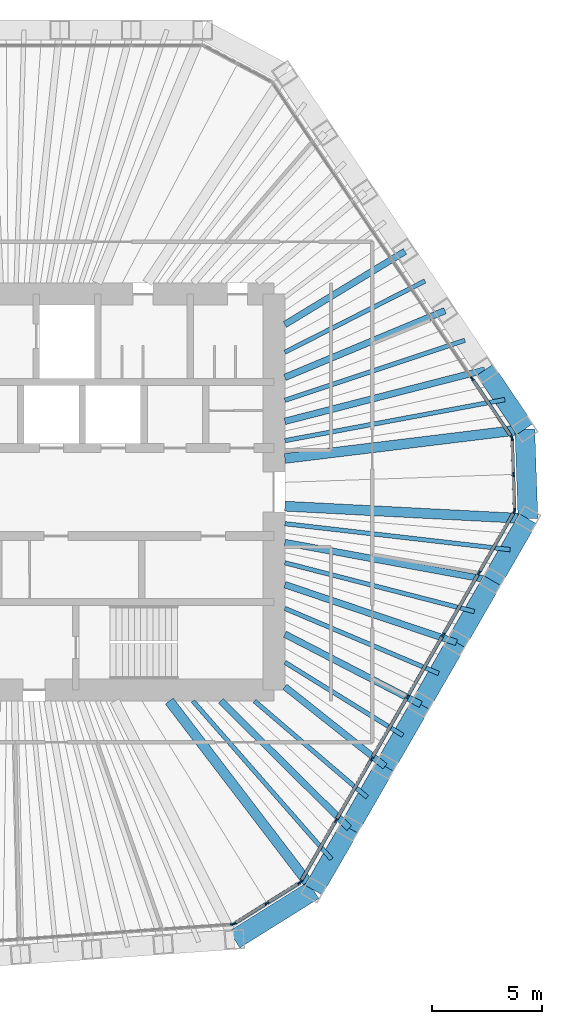
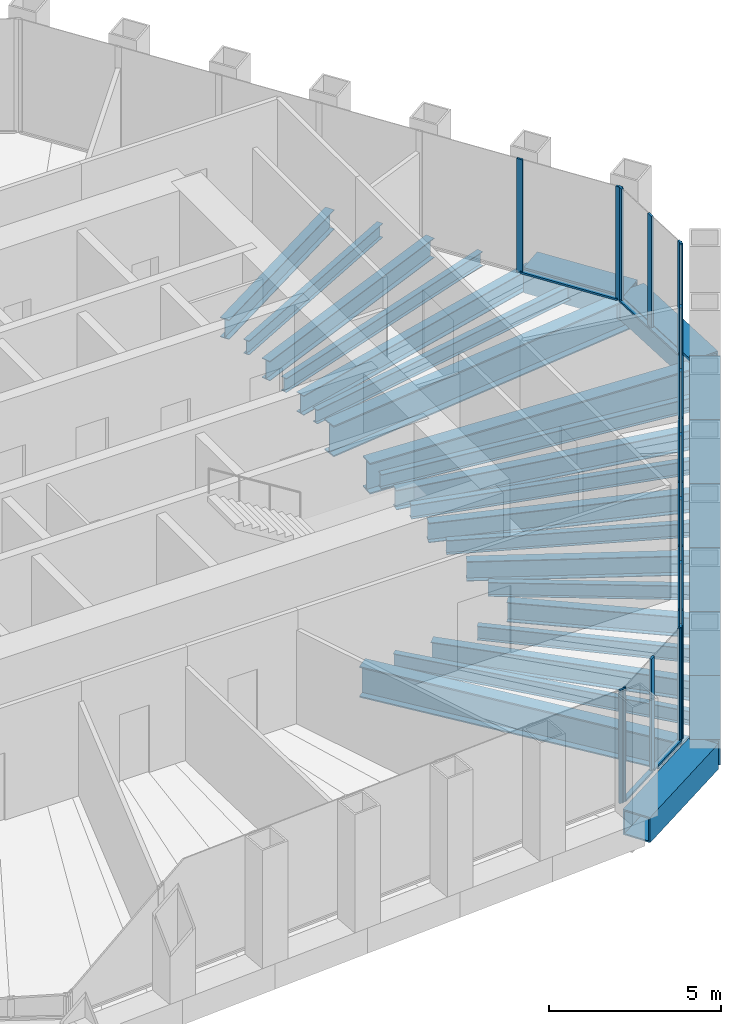
# One storey, part 5 of 14: 29 beams, 27 members, 5 elements without a shape of their own.
"""IFC4 building model written with IfcOpenShell, lengths in metres."""

import ifcopenshell
import ifcopenshell.guid

model = None  # the IFC model being written
_history = None  # IfcOwnerHistory: only IFC2X3 demands one
_inside = {}  # id of a spatial element -> (the spatial element, [elements in it])
_under = {}  # id of a project, library or spatial element -> (it, [spatial elements below it])
_declared = {}  # id of a project -> (the project, [libraries it declares])
_typed = {}  # id of a type object -> (the type object, [elements of that type])
_made_of = {}  # id of a material, layer set ... -> (it, [elements and type objects made of it])


def new_model(schema):
    """Start an empty IFC model of exactly this schema.

    Asked for "IFC4X3", IfcOpenShell would pick the latest addendum, in which some entities
    have other attributes; the version numbers below select the first issue.
    IFC2X3 requires an IfcOwnerHistory on every rooted entity: one is made here for all.
    """
    global model, _history
    if schema == "IFC4X3":
        model = ifcopenshell.file(schema_version=(4, 3, 0, 0))
    else:
        model = ifcopenshell.file(schema=schema)
    _inside.clear()
    _under.clear()
    _declared.clear()
    _typed.clear()
    _made_of.clear()
    _history = None
    if model.schema == "IFC2X3":
        org = make("IfcOrganization", Name="unknown")
        user = make(
            "IfcPersonAndOrganization",
            ThePerson=make("IfcPerson", FamilyName="unknown"),
            TheOrganization=org,
        )
        app = make(
            "IfcApplication",
            ApplicationDeveloper=org,
            Version="unknown",
            ApplicationFullName="unknown",
            ApplicationIdentifier="unknown",
        )
        _history = make(
            "IfcOwnerHistory",
            OwningUser=user,
            OwningApplication=app,
            ChangeAction="ADDED",
            CreationDate=0,
        )
    return model


def make(cls, **values):
    """One entity of the class cls with the attributes given. An attribute that is None is left unset."""
    return model.create_entity(
        cls, **{name: value for name, value in values.items() if value is not None}
    )


def rooted(cls, **values):
    """An entity with a GlobalId (a new one), such as an element, a storey or a relation."""
    return make(cls, GlobalId=ifcopenshell.guid.new(), OwnerHistory=_history, **values)


def si_unit(unit_type, name, prefix=None):
    """IfcSIUnit, for example si_unit("LENGTHUNIT", "METRE", prefix="MILLI")."""
    return make("IfcSIUnit", UnitType=unit_type, Prefix=prefix, Name=name)


def assignment(units):
    """IfcUnitAssignment: the units of a project."""
    return None if units is None else make("IfcUnitAssignment", Units=units)


def point(xyz):
    """IfcCartesianPoint."""
    return None if xyz is None else make("IfcCartesianPoint", Coordinates=xyz)


def direction(xyz):
    """IfcDirection."""
    return None if xyz is None else make("IfcDirection", DirectionRatios=xyz)


def frame(location, z_axis=None, x_axis=None):
    """IfcAxis2Placement3D, a coordinate frame: its origin and axes. An axis left out is left unset."""
    return make(
        "IfcAxis2Placement3D",
        Location=point(location),
        Axis=direction(z_axis),
        RefDirection=direction(x_axis),
    )


def frame_2d(location, x_axis=None):
    """IfcAxis2Placement2D, a coordinate frame in the plane: its origin and x axis."""
    return make(
        "IfcAxis2Placement2D", Location=point(location), RefDirection=direction(x_axis)
    )


def origin():
    """The frame at (0, 0, 0) with its axes left unset."""
    return frame((0.0, 0.0, 0.0))


def origin_2d():
    """The frame at (0, 0) in the plane with its x axis left unset."""
    return frame_2d((0.0, 0.0))


def place(relative_to, where):
    """IfcLocalPlacement: puts the frame where relative to a parent placement (None: the world)."""
    return make(
        "IfcLocalPlacement", PlacementRelTo=relative_to, RelativePlacement=where
    )


def context(
    kind, dimensions, precision=None, world=None, true_north=None, identifier=None
):
    """IfcGeometricRepresentationContext, for example the 3D "Model" context."""
    return make(
        "IfcGeometricRepresentationContext",
        ContextIdentifier=identifier,
        ContextType=kind,
        CoordinateSpaceDimension=dimensions,
        Precision=precision,
        WorldCoordinateSystem=world,
        TrueNorth=true_north,
    )


def subcontext(parent, identifier, kind, view, scale=None):
    """IfcGeometricRepresentationSubContext, for example "Body" below "Model"."""
    return make(
        "IfcGeometricRepresentationSubContext",
        ContextIdentifier=identifier,
        ContextType=kind,
        ParentContext=parent,
        TargetScale=scale,
        TargetView=view,
    )


def project(units=None, contexts=None):
    """IfcProject with its units and contexts."""
    return rooted(
        "IfcProject",
        Name="project",
        RepresentationContexts=contexts,
        UnitsInContext=assignment(units),
    )


def spatial(cls, under=None, at=None, **own):
    """A site, building, storey or space (cls), placed at a placement, below another one or the project."""
    s = rooted(cls, ObjectPlacement=at, **own)
    if under is not None:
        _under.setdefault(under.id(), (under, []))[1].append(s)
    return s


def profile(cls, at=None, kind="AREA", **sizes):
    """A parametric profile (cls). Its sizes go by their IFC names, for example OverallWidth=200.0."""
    return make(cls, ProfileType=kind, Position=at, **sizes)


def rectangle(**sizes):
    """IfcRectangleProfileDef."""
    return profile("IfcRectangleProfileDef", **sizes)


def hollow_rectangle(**sizes):
    """IfcRectangleHollowProfileDef."""
    return profile("IfcRectangleHollowProfileDef", **sizes)


def i_section(**sizes):
    """IfcIShapeProfileDef."""
    return profile("IfcIShapeProfileDef", **sizes)


def extrude(swept, where, along, depth):
    """IfcExtrudedAreaSolid: the profile swept, set in the frame where, extruded along a direction by depth."""
    return make(
        "IfcExtrudedAreaSolid",
        SweptArea=swept,
        Position=where,
        ExtrudedDirection=direction(along),
        Depth=depth,
    )


def shape(context_of_items, identifier, shape_type, items):
    """IfcShapeRepresentation: the items that make up one representation, for example the "Body"."""
    return make(
        "IfcShapeRepresentation",
        ContextOfItems=context_of_items,
        RepresentationIdentifier=identifier,
        RepresentationType=shape_type,
        Items=items,
    )


def material(Name=None, Category=None):
    """IfcMaterial."""
    return make("IfcMaterial", Name=Name, Category=Category)


def material_profile(
    of_material, cross_section, Name=None, Category=None, Priority=None
):
    """IfcMaterialProfile: a cross section and its material."""
    return make(
        "IfcMaterialProfile",
        Name=Name,
        Material=of_material,
        Profile=cross_section,
        Priority=Priority,
        Category=Category,
    )


def profile_set(profiles, Name=None, composite=None):
    """IfcMaterialProfileSet."""
    return make(
        "IfcMaterialProfileSet",
        Name=Name,
        MaterialProfiles=profiles,
        CompositeProfile=composite,
    )


def made_of(thing, what):
    """Note that an element or type object is made of a material, layer set ...; save() writes the relation."""
    if what is not None:
        _made_of.setdefault(what.id(), (what, []))[1].append(thing)
    return thing


def type_object(cls, material=None, **own):
    """A type object (cls), such as IfcWallType, which elements share."""
    return made_of(rooted(cls, **own), material)


def element(
    cls,
    number,
    at=None,
    inside=None,
    cuts=None,
    type_object=None,
    material=None,
    context=None,
    identifier="Body",
    shape_type=None,
    held_by="IfcProductDefinitionShape",
    body=None,
    shapes=None,
    **own,
):
    """One element of the class cls, such as IfcWall. Its Tag is "e" and its number.

    at: its placement. inside: the storey or other place that contains it. cuts: it is an
    opening in that element (IfcRelVoidsElement). A single representation is given by context,
    identifier, shape_type and body (its items); several are given by shapes. held_by: the class
    of the entity that holds the representations. save() writes the other relations.
    """
    e = rooted(cls, Tag="e%d" % number, ObjectPlacement=at, **own)
    if body is not None:
        shapes = [shape(context, identifier, shape_type, body)]
    if shapes is not None:
        e.Representation = make(held_by, Representations=shapes)
    if inside is not None:
        _inside.setdefault(inside.id(), (inside, []))[1].append(e)
    if cuts is not None:
        rooted(
            "IfcRelVoidsElement", RelatingBuildingElement=cuts, RelatedOpeningElement=e
        )
    if type_object is not None:
        _typed.setdefault(type_object.id(), (type_object, []))[1].append(e)
    return made_of(e, material)


def aggregate(whole, parts):
    """IfcRelAggregates: a whole, such as a stair, and the parts it consists of."""
    return rooted("IfcRelAggregates", RelatingObject=whole, RelatedObjects=parts)


def save(model, path):
    """Write the relations noted so far, then the file.

    IfcRelAggregates (storeys below a building ...), IfcRelContainedInSpatialStructure (elements
    in a storey), IfcRelDefinesByType, IfcRelAssociatesMaterial and IfcRelDeclares: one each for
    every whole, place, type object, material and project.
    """
    for whole, parts in _under.values():
        aggregate(whole, parts)
    for where, things in _inside.values():
        rooted(
            "IfcRelContainedInSpatialStructure",
            RelatedElements=things,
            RelatingStructure=where,
        )
    for kind, things in _typed.values():
        rooted("IfcRelDefinesByType", RelatedObjects=things, RelatingType=kind)
    for what, things in _made_of.values():
        rooted("IfcRelAssociatesMaterial", RelatedObjects=things, RelatingMaterial=what)
    for by, libraries in _declared.values():
        rooted("IfcRelDeclares", RelatingContext=by, RelatedDefinitions=libraries)
    model.write(path)


model = new_model("IFC4")

# Units and contexts
model_context = context("Model", 3, precision=1e-05, world=origin(), true_north=direction((0.0, 1.0)))
body_context = subcontext(model_context, "Body", "Model", "MODEL_VIEW")
ifc_project = project(units=[si_unit("LENGTHUNIT", "METRE"), si_unit("AREAUNIT", "SQUARE_METRE"), si_unit("VOLUMEUNIT", "CUBIC_METRE"), si_unit("PLANEANGLEUNIT", "RADIAN"), si_unit("MASSUNIT", "GRAM", prefix="KILO")], contexts=[model_context])

# Site, building, storey
site_placement = place(None, origin())
site = spatial("IfcSite", under=ifc_project, at=site_placement, CompositionType="ELEMENT")
building_placement = place(site_placement, origin())
building = spatial("IfcBuilding", under=site, at=building_placement, Name="Qingtian Harvest Tower", CompositionType="ELEMENT")
storey_placement = place(building_placement, frame((0.0, 0.0, 274.60009765625)))
storey = spatial("IfcBuildingStorey", under=building, at=storey_placement, Name="L60", CompositionType="ELEMENT", Elevation=274.60009765625)

# Beams
ifc_material_1 = material(Name="Steel SM570MC", Category="steel")
ifc_material_profile_1 = material_profile(ifc_material_1, i_section(OverallWidth=0.449951171875, OverallDepth=1.10009765625, WebThickness=0.02197265625, FlangeThickness=0.044921875, at=origin_2d()), Name="H1100x450x22x45")
ifc_profile_set_1 = profile_set([ifc_material_profile_1], Name="Steel SM570MC")
beam_type_1 = type_object("IfcBeamType", Name="Corner floor beam FB8 H1100x450x22x45", PredefinedType="BEAM", material=ifc_profile_set_1)
beam_1_placement = place(storey_placement, frame((23.405517578125, 2.85400390625, -0.72021484375), z_axis=(-0.99264704984, -0.12104476215, 0.0), x_axis=(0.12104476215, -0.99264704984, 0.0)))
element("IfcBeam", 1, at=beam_1_placement, inside=storey, type_object=beam_type_1, Name="Floor beam FB8 NE6", PredefinedType="BEAM", context=body_context, shape_type="SweptSolid", body=[
    extrude(i_section(OverallWidth=0.449951171875, OverallDepth=1.10009765625, WebThickness=0.02197265625, FlangeThickness=0.044921875, at=origin_2d()), origin(), (0.0, 0.0, 1.0), 10.986328125),
])
beam_2_placement = place(storey_placement, frame((23.547607421875, -1.21435546875, -0.72021484375), z_axis=(-0.998672453152, 0.051510497131, 0.0), x_axis=(-0.051510497131, -0.998672453152, 0.0)))
element("IfcBeam", 2, at=beam_2_placement, inside=storey, type_object=beam_type_1, Name="Floor beam FB8 SE0", PredefinedType="BEAM", context=body_context, shape_type="SweptSolid", body=[
    extrude(i_section(OverallWidth=0.449951171875, OverallDepth=1.10009765625, WebThickness=0.02197265625, FlangeThickness=0.044921875, at=origin_2d()), origin(), (0.0, 0.0, 1.0), 11.062255859375),
])
beam_3_placement = place(storey_placement, frame((13.803466796875, -18.091552734375, -0.72021484375), z_axis=(-0.60658352266, 0.795019767073, 0.0), x_axis=(-0.795019767073, -0.60658352266, 0.0)))
element("IfcBeam", 3, at=beam_3_placement, inside=storey, type_object=beam_type_1, Name="Floor beam FB8 SE6", PredefinedType="BEAM", context=body_context, shape_type="SweptSolid", body=[
    extrude(i_section(OverallWidth=0.449951171875, OverallDepth=1.10009765625, WebThickness=0.02197265625, FlangeThickness=0.044921875, at=origin_2d()), origin(), (0.0, 0.0, 1.0), 10.806640625),
])
ifc_material_2 = material(Name="Steel SN490B", Category="steel")
ifc_material_profile_2 = material_profile(ifc_material_2, i_section(OverallWidth=0.300048828125, OverallDepth=0.699951171875, WebThickness=0.012939453125, FlangeThickness=0.02392578125, at=origin_2d()), Name="H700x300x13x24")
ifc_profile_set_2 = profile_set([ifc_material_profile_2], Name="Steel SN490B")
beam_type_2 = type_object("IfcBeamType", Name="Floor beam FB4 H700x300x13x24", PredefinedType="BEAM", material=ifc_profile_set_2)
beam_4_placement = place(storey_placement, frame((17.956787109375, 10.93212890625, -0.52001953125), z_axis=(-0.854163869478, -0.520003926983, 0.0), x_axis=(0.520003926983, -0.854163869478, 0.0)))
element("IfcBeam", 4, at=beam_4_placement, inside=storey, type_object=beam_type_2, Name="Floor beam FB4 NE3", PredefinedType="BEAM", context=body_context, shape_type="SweptSolid", body=[
    extrude(i_section(OverallWidth=0.300048828125, OverallDepth=0.699951171875, WebThickness=0.012939453125, FlangeThickness=0.02392578125, at=origin_2d()), origin(), (0.0, 0.0, 1.0), 6.388427734375),
])
beam_5_placement = place(storey_placement, frame((19.77294921875, 8.2392578125, -0.52001953125), z_axis=(-0.923071422518, -0.38462858569, 0.0), x_axis=(0.38462858569, -0.923071422518, 0.0)))
element("IfcBeam", 5, at=beam_5_placement, inside=storey, type_object=beam_type_2, Name="Floor beam FB4 NE4", PredefinedType="BEAM", context=body_context, shape_type="SweptSolid", body=[
    extrude(i_section(OverallWidth=0.300048828125, OverallDepth=0.699951171875, WebThickness=0.012939453125, FlangeThickness=0.02392578125, at=origin_2d()), origin(), (0.0, 0.0, 1.0), 7.879150390625),
])
beam_6_placement = place(storey_placement, frame((21.58935546875, 5.546630859375, -0.52001953125), z_axis=(-0.968545797703, -0.248835362746, 0.0), x_axis=(0.248835362746, -0.968545797703, 0.0)))
element("IfcBeam", 6, at=beam_6_placement, inside=storey, type_object=beam_type_2, Name="Floor beam FB4 NE5", PredefinedType="BEAM", context=body_context, shape_type="SweptSolid", body=[
    extrude(i_section(OverallWidth=0.300048828125, OverallDepth=0.699951171875, WebThickness=0.012939453125, FlangeThickness=0.02392578125, at=origin_2d()), origin(), (0.0, 0.0, 1.0), 9.384521484375),
])
beam_7_placement = place(storey_placement, frame((21.923583984375, -4.027099609375, -0.52001953125), z_axis=(-0.983545410638, 0.180661078303, 0.0), x_axis=(-0.180661078303, -0.983545410638, 0.0)))
element("IfcBeam", 7, at=beam_7_placement, inside=storey, type_object=beam_type_2, Name="Floor beam FB4 SE1", PredefinedType="BEAM", context=body_context, shape_type="SweptSolid", body=[
    extrude(i_section(OverallWidth=0.300048828125, OverallDepth=0.699951171875, WebThickness=0.012939453125, FlangeThickness=0.02392578125, at=origin_2d()), origin(), (0.0, 0.0, 1.0), 9.581298828125),
])
beam_8_placement = place(storey_placement, frame((20.299560546875, -6.840087890625, -0.52001953125), z_axis=(-0.947645968799, 0.319322905253, 0.0), x_axis=(-0.319322905253, -0.947645968799, 0.0)))
element("IfcBeam", 8, at=beam_8_placement, inside=storey, type_object=beam_type_2, Name="Floor beam FB4 SE2", PredefinedType="BEAM", context=body_context, shape_type="SweptSolid", body=[
    extrude(i_section(OverallWidth=0.300048828125, OverallDepth=0.699951171875, WebThickness=0.012939453125, FlangeThickness=0.02392578125, at=origin_2d()), origin(), (0.0, 0.0, 1.0), 8.23046875),
])
beam_9_placement = place(storey_placement, frame((18.675537109375, -9.65283203125, -0.52001953125), z_axis=(-0.888355479692, 0.459156336884, 0.0), x_axis=(-0.459156336884, -0.888355479692, 0.0)))
element("IfcBeam", 9, at=beam_9_placement, inside=storey, type_object=beam_type_2, Name="Floor beam FB4 SE3", PredefinedType="BEAM", context=body_context, shape_type="SweptSolid", body=[
    extrude(i_section(OverallWidth=0.300048828125, OverallDepth=0.699951171875, WebThickness=0.012939453125, FlangeThickness=0.02392578125, at=origin_2d()), origin(), (0.0, 0.0, 1.0), 6.95166015625),
])
beam_10_placement = place(storey_placement, frame((17.051513671875, -12.4658203125, -0.52001953125), z_axis=(-0.783003151269, 0.622017736968, 0.0), x_axis=(-0.622017736968, -0.783003151269, 0.0)))
element("IfcBeam", 10, at=beam_10_placement, inside=storey, type_object=beam_type_2, Name="Floor beam FB4 SE4", PredefinedType="BEAM", context=body_context, shape_type="SweptSolid", body=[
    extrude(i_section(OverallWidth=0.300048828125, OverallDepth=0.699951171875, WebThickness=0.012939453125, FlangeThickness=0.02392578125, at=origin_2d()), origin(), (0.0, 0.0, 1.0), 5.81298828125),
])
beam_11_placement = place(storey_placement, frame((15.427490234375, -15.278564453125, -0.52001953125), z_axis=(-0.710532187344, 0.703664700513, 0.0), x_axis=(-0.703664700513, -0.710532187344, 0.0)))
element("IfcBeam", 11, at=beam_11_placement, inside=storey, type_object=beam_type_2, Name="Floor beam FB4 SE5", PredefinedType="BEAM", context=body_context, shape_type="SweptSolid", body=[
    extrude(i_section(OverallWidth=0.300048828125, OverallDepth=0.699951171875, WebThickness=0.012939453125, FlangeThickness=0.02392578125, at=origin_2d()), origin(), (0.0, 0.0, 1.0), 8.212158203125),
])
ifc_material_3 = material(Name="Steel SN490B", Category="steel")
ifc_material_profile_3 = material_profile(ifc_material_3, i_section(OverallWidth=0.199951171875, OverallDepth=0.5, WebThickness=0.010009765625, FlangeThickness=0.01611328125, at=origin_2d()), Name="H500x200x10x16")
ifc_profile_set_3 = profile_set([ifc_material_profile_3], Name="Steel SN490B")
beam_type_3 = type_object("IfcBeamType", Name="Floor joist J3 H500x200x10x16", PredefinedType="JOIST", material=ifc_profile_set_3)
beam_12_placement = place(storey_placement, frame((18.864990234375, 9.585693359375, -0.420166015625), z_axis=(-0.891515522375, -0.452990147094, 0.0), x_axis=(0.452990147094, -0.891515522375, 0.0)))
element("IfcBeam", 12, at=beam_12_placement, inside=storey, type_object=beam_type_3, Name="Floor joist J3 NE3", PredefinedType="JOIST", context=body_context, shape_type="SweptSolid", body=[
    extrude(i_section(OverallWidth=0.199951171875, OverallDepth=0.5, WebThickness=0.010009765625, FlangeThickness=0.01611328125, at=origin_2d()), origin(), (0.0, 0.0, 1.0), 7.139404296875),
])
beam_13_placement = place(storey_placement, frame((20.68115234375, 6.89306640625, -0.420166015625), z_axis=(-0.94869179092, -0.316202286267, 0.0), x_axis=(0.316202286267, -0.94869179092, 0.0)))
element("IfcBeam", 13, at=beam_13_placement, inside=storey, type_object=beam_type_3, Name="Floor joist J3 NE4", PredefinedType="JOIST", context=body_context, shape_type="SweptSolid", body=[
    extrude(i_section(OverallWidth=0.199951171875, OverallDepth=0.5, WebThickness=0.010009765625, FlangeThickness=0.01611328125, at=origin_2d()), origin(), (0.0, 0.0, 1.0), 8.62353515625),
])
beam_14_placement = place(storey_placement, frame((22.49755859375, 4.2001953125, -0.420166015625), z_axis=(-0.983015918388, -0.183520310038, 0.0), x_axis=(0.183520310038, -0.983015918388, 0.0)))
element("IfcBeam", 14, at=beam_14_placement, inside=storey, type_object=beam_type_3, Name="Floor joist J3 NE5", PredefinedType="JOIST", context=body_context, shape_type="SweptSolid", body=[
    extrude(i_section(OverallWidth=0.199951171875, OverallDepth=0.5, WebThickness=0.010009765625, FlangeThickness=0.01611328125, at=origin_2d()), origin(), (0.0, 0.0, 1.0), 10.17041015625),
])
beam_15_placement = place(storey_placement, frame((22.735595703125, -2.62060546875, -0.420166015625), z_axis=(-0.993423767351, 0.114495495381, 0.0), x_axis=(-0.114495495381, -0.993423767351, 0.0)))
element("IfcBeam", 15, at=beam_15_placement, inside=storey, type_object=beam_type_3, Name="Floor joist J3 SE0", PredefinedType="JOIST", context=body_context, shape_type="SweptSolid", body=[
    extrude(i_section(OverallWidth=0.199951171875, OverallDepth=0.5, WebThickness=0.010009765625, FlangeThickness=0.01611328125, at=origin_2d()), origin(), (0.0, 0.0, 1.0), 10.303466796875),
])
beam_16_placement = place(storey_placement, frame((21.111572265625, -5.43359375, -0.420166015625), z_axis=(-0.968434631662, 0.249267655738, 0.0), x_axis=(-0.249267655738, -0.968434631662, 0.0)))
element("IfcBeam", 16, at=beam_16_placement, inside=storey, type_object=beam_type_3, Name="Floor joist J3 SE1", PredefinedType="JOIST", context=body_context, shape_type="SweptSolid", body=[
    extrude(i_section(OverallWidth=0.199951171875, OverallDepth=0.5, WebThickness=0.010009765625, FlangeThickness=0.01611328125, at=origin_2d()), origin(), (0.0, 0.0, 1.0), 8.892333984375),
])
beam_17_placement = place(storey_placement, frame((19.487548828125, -8.246337890625, -0.420166015625), z_axis=(-0.920942823677, 0.389697723265, 0.0), x_axis=(-0.389697723265, -0.920942823677, 0.0)))
element("IfcBeam", 17, at=beam_17_placement, inside=storey, type_object=beam_type_3, Name="Floor joist J3 SE2", PredefinedType="JOIST", context=body_context, shape_type="SweptSolid", body=[
    extrude(i_section(OverallWidth=0.199951171875, OverallDepth=0.5, WebThickness=0.010009765625, FlangeThickness=0.01611328125, at=origin_2d()), origin(), (0.0, 0.0, 1.0), 7.58740234375),
])
beam_18_placement = place(storey_placement, frame((17.863525390625, -11.059326171875, -0.420166015625), z_axis=(-0.850245350939, 0.52638659102, 0.0), x_axis=(-0.52638659102, -0.850245350939, 0.0)))
element("IfcBeam", 18, at=beam_18_placement, inside=storey, type_object=beam_type_3, Name="Floor joist J3 SE3", PredefinedType="JOIST", context=body_context, shape_type="SweptSolid", body=[
    extrude(i_section(OverallWidth=0.199951171875, OverallDepth=0.5, WebThickness=0.010009765625, FlangeThickness=0.01611328125, at=origin_2d()), origin(), (0.0, 0.0, 1.0), 6.30810546875),
])
beam_19_placement = place(storey_placement, frame((16.239501953125, -13.8720703125, -0.420166015625), z_axis=(-0.760351288112, 0.649512061987, 0.0), x_axis=(-0.649512061987, -0.760351288112, 0.0)))
element("IfcBeam", 19, at=beam_19_placement, inside=storey, type_object=beam_type_3, Name="Floor joist J3 SE4", PredefinedType="JOIST", context=body_context, shape_type="SweptSolid", body=[
    extrude(i_section(OverallWidth=0.199951171875, OverallDepth=0.5, WebThickness=0.010009765625, FlangeThickness=0.01611328125, at=origin_2d()), origin(), (0.0, 0.0, 1.0), 6.731201171875),
])
beam_20_placement = place(storey_placement, frame((14.615478515625, -16.68505859375, -0.420166015625), z_axis=(-0.658906232771, 0.752225083612, 0.0), x_axis=(-0.752225083612, -0.658906232771, 0.0)))
element("IfcBeam", 20, at=beam_20_placement, inside=storey, type_object=beam_type_3, Name="Floor joist J3 SE5", PredefinedType="JOIST", context=body_context, shape_type="SweptSolid", body=[
    extrude(i_section(OverallWidth=0.199951171875, OverallDepth=0.5, WebThickness=0.010009765625, FlangeThickness=0.01611328125, at=origin_2d()), origin(), (0.0, 0.0, 1.0), 9.5517578125),
])

# Curtain wall, members
ifc_material_4 = material(Name="Bronze-anodised aluminium curtain wall", Category="aluminium")
curtain_wall_type = type_object("IfcCurtainWallType", Name="Curtain wall CW5 upper office", PredefinedType="USERDEFINED", material=ifc_material_4)
curtain_wall_1_placement = place(storey_placement, origin())
curtain_wall_1 = element("IfcCurtainWall", 21, at=curtain_wall_1_placement, inside=storey, type_object=curtain_wall_type, Name="Curtain wall CW5 L60 NE0-5", ObjectType="RECESSED CURTAIN WALL", PredefinedType="USERDEFINED")
ifc_material_5 = material(Name="Bronze-anodised aluminium mullion", Category="aluminium")
ifc_material_profile_4 = material_profile(ifc_material_5, rectangle(XDim=0.06494140625, YDim=0.199951171875, at=origin_2d()), Name="AL 65x200")
ifc_profile_set_4 = profile_set([ifc_material_profile_4], Name="Bronze-anodised aluminium mullion")
member_type_1 = type_object("IfcMemberType", Name="Mullion CWM 65x200", PredefinedType="MULLION", material=ifc_profile_set_4)
member_1_placement = place(storey_placement, frame((21.009033203125, 5.1552734375, 0.0), z_axis=(0.0, 0.0, 1.0), x_axis=(0.829037572555, 0.559192903471, 0.0)))
member_1 = element("IfcMember", 22, at=member_1_placement, type_object=member_type_1, Name="CW5 mullion 6", PredefinedType="MULLION", context=body_context, shape_type="SweptSolid", body=[
    extrude(rectangle(XDim=0.06494140625, YDim=0.199951171875, at=origin_2d()), origin(), (0.0, 0.0, 1.0), 4.02978515625),
])
member_2_placement = place(storey_placement, frame((22.80712890625, 2.489501953125, 0.0), z_axis=(0.0, 0.0, 1.0), x_axis=(0.829037572555, 0.559192903471, 0.0)))
member_2 = element("IfcMember", 23, at=member_2_placement, type_object=member_type_1, Name="CW5 mullion 7", PredefinedType="MULLION", context=body_context, shape_type="SweptSolid", body=[
    extrude(rectangle(XDim=0.06494140625, YDim=0.199951171875, at=origin_2d()), origin(), (0.0, 0.0, 1.0), 4.02978515625),
])

curtain_wall_2_placement = place(storey_placement, origin())
curtain_wall_2 = element("IfcCurtainWall", 24, at=curtain_wall_2_placement, inside=storey, type_object=curtain_wall_type, Name="Curtain wall CW5 L60 NEC", ObjectType="RECESSED CURTAIN WALL", PredefinedType="USERDEFINED")
member_3_placement = place(storey_placement, frame((22.826416015625, 2.429931640625, 0.0), z_axis=(0.0, 0.0, 1.0), x_axis=(0.999390827019, 0.034899496703, 0.0)))
member_3 = element("IfcMember", 25, at=member_3_placement, type_object=member_type_1, Name="CW5 mullion 1", PredefinedType="MULLION", context=body_context, shape_type="SweptSolid", body=[
    extrude(rectangle(XDim=0.06494140625, YDim=0.199951171875, at=origin_2d()), origin(), (0.0, 0.0, 1.0), 4.02978515625),
])
member_4_placement = place(storey_placement, frame((22.88330078125, 0.799072265625, 0.0), z_axis=(0.0, 0.0, 1.0), x_axis=(0.999390827019, 0.034899496703, 0.0)))
member_4 = element("IfcMember", 26, at=member_4_placement, type_object=member_type_1, Name="CW5 mullion 2", PredefinedType="MULLION", context=body_context, shape_type="SweptSolid", body=[
    extrude(rectangle(XDim=0.06494140625, YDim=0.199951171875, at=origin_2d()), origin(), (0.0, 0.0, 1.0), 4.02978515625),
])
member_5_placement = place(storey_placement, frame((22.9404296875, -0.831787109375, 0.0), z_axis=(0.0, 0.0, 1.0), x_axis=(0.999390827019, 0.034899496703, 0.0)))
member_5 = element("IfcMember", 27, at=member_5_placement, type_object=member_type_1, Name="CW5 mullion 3", PredefinedType="MULLION", context=body_context, shape_type="SweptSolid", body=[
    extrude(rectangle(XDim=0.06494140625, YDim=0.199951171875, at=origin_2d()), origin(), (0.0, 0.0, 1.0), 4.02978515625),
])

curtain_wall_3_placement = place(storey_placement, origin())
curtain_wall_3 = element("IfcCurtainWall", 28, at=curtain_wall_3_placement, inside=storey, type_object=curtain_wall_type, Name="Curtain wall CW5 L60 SE0-5", ObjectType="RECESSED CURTAIN WALL", PredefinedType="USERDEFINED")
member_6_placement = place(storey_placement, frame((22.92529296875, -0.892333984375, 0.0), z_axis=(0.0, 0.0, 1.0), x_axis=(0.866025403784, -0.5, 0.0)))
member_6 = element("IfcMember", 29, at=member_6_placement, type_object=member_type_1, Name="CW5 mullion 1", PredefinedType="MULLION", context=body_context, shape_type="SweptSolid", body=[
    extrude(rectangle(XDim=0.06494140625, YDim=0.199951171875, at=origin_2d()), origin(), (0.0, 0.0, 1.0), 4.02978515625),
])
member_7_placement = place(storey_placement, frame((21.3173828125, -3.67724609375, 0.0), z_axis=(0.0, 0.0, 1.0), x_axis=(0.866025403784, -0.5, 0.0)))
member_7 = element("IfcMember", 30, at=member_7_placement, type_object=member_type_1, Name="CW5 mullion 2", PredefinedType="MULLION", context=body_context, shape_type="SweptSolid", body=[
    extrude(rectangle(XDim=0.06494140625, YDim=0.199951171875, at=origin_2d()), origin(), (0.0, 0.0, 1.0), 4.02978515625),
])
member_8_placement = place(storey_placement, frame((19.693359375, -6.489990234375, 0.0), z_axis=(0.0, 0.0, 1.0), x_axis=(0.866025403784, -0.5, 0.0)))
member_8 = element("IfcMember", 31, at=member_8_placement, type_object=member_type_1, Name="CW5 mullion 3", PredefinedType="MULLION", context=body_context, shape_type="SweptSolid", body=[
    extrude(rectangle(XDim=0.06494140625, YDim=0.199951171875, at=origin_2d()), origin(), (0.0, 0.0, 1.0), 4.02978515625),
])
member_9_placement = place(storey_placement, frame((18.0693359375, -9.302978515625, 0.0), z_axis=(0.0, 0.0, 1.0), x_axis=(0.866025403784, -0.5, 0.0)))
member_9 = element("IfcMember", 32, at=member_9_placement, type_object=member_type_1, Name="CW5 mullion 4", PredefinedType="MULLION", context=body_context, shape_type="SweptSolid", body=[
    extrude(rectangle(XDim=0.06494140625, YDim=0.199951171875, at=origin_2d()), origin(), (0.0, 0.0, 1.0), 4.02978515625),
])
member_10_placement = place(storey_placement, frame((16.4453125, -12.11572265625, 0.0), z_axis=(0.0, 0.0, 1.0), x_axis=(0.866025403784, -0.5, 0.0)))
member_10 = element("IfcMember", 33, at=member_10_placement, type_object=member_type_1, Name="CW5 mullion 5", PredefinedType="MULLION", context=body_context, shape_type="SweptSolid", body=[
    extrude(rectangle(XDim=0.06494140625, YDim=0.199951171875, at=origin_2d()), origin(), (0.0, 0.0, 1.0), 4.02978515625),
])
member_11_placement = place(storey_placement, frame((14.8212890625, -14.9287109375, 0.0), z_axis=(0.0, 0.0, 1.0), x_axis=(0.866025403784, -0.5, 0.0)))
member_11 = element("IfcMember", 34, at=member_11_placement, type_object=member_type_1, Name="CW5 mullion 6", PredefinedType="MULLION", context=body_context, shape_type="SweptSolid", body=[
    extrude(rectangle(XDim=0.06494140625, YDim=0.199951171875, at=origin_2d()), origin(), (0.0, 0.0, 1.0), 4.02978515625),
])
member_12_placement = place(storey_placement, frame((13.213623046875, -17.71337890625, 0.0), z_axis=(0.0, 0.0, 1.0), x_axis=(0.866025403784, -0.5, 0.0)))
member_12 = element("IfcMember", 35, at=member_12_placement, type_object=member_type_1, Name="CW5 mullion 7", PredefinedType="MULLION", context=body_context, shape_type="SweptSolid", body=[
    extrude(rectangle(XDim=0.06494140625, YDim=0.199951171875, at=origin_2d()), origin(), (0.0, 0.0, 1.0), 4.02978515625),
])

curtain_wall_4_placement = place(storey_placement, origin())
curtain_wall_4 = element("IfcCurtainWall", 36, at=curtain_wall_4_placement, inside=storey, type_object=curtain_wall_type, Name="Curtain wall CW5 L60 SEC", ObjectType="RECESSED CURTAIN WALL", PredefinedType="USERDEFINED")
member_13_placement = place(storey_placement, frame((13.169921875, -17.7587890625, 0.0), z_axis=(0.0, 0.0, 1.0), x_axis=(0.529919264233, -0.848048096156, 0.0)))
member_13 = element("IfcMember", 37, at=member_13_placement, type_object=member_type_1, Name="CW5 mullion 1", PredefinedType="MULLION", context=body_context, shape_type="SweptSolid", body=[
    extrude(rectangle(XDim=0.06494140625, YDim=0.199951171875, at=origin_2d()), origin(), (0.0, 0.0, 1.0), 4.02978515625),
])
member_14_placement = place(storey_placement, frame((11.678955078125, -18.690185546875, 0.0), z_axis=(0.0, 0.0, 1.0), x_axis=(0.529919264233, -0.848048096156, 0.0)))
member_14 = element("IfcMember", 38, at=member_14_placement, type_object=member_type_1, Name="CW5 mullion 2", PredefinedType="MULLION", context=body_context, shape_type="SweptSolid", body=[
    extrude(rectangle(XDim=0.06494140625, YDim=0.199951171875, at=origin_2d()), origin(), (0.0, 0.0, 1.0), 4.02978515625),
])
member_15_placement = place(storey_placement, frame((10.188232421875, -19.621826171875, 0.0), z_axis=(0.0, 0.0, 1.0), x_axis=(0.529919264233, -0.848048096156, 0.0)))
member_15 = element("IfcMember", 39, at=member_15_placement, type_object=member_type_1, Name="CW5 mullion 3", PredefinedType="MULLION", context=body_context, shape_type="SweptSolid", body=[
    extrude(rectangle(XDim=0.06494140625, YDim=0.199951171875, at=origin_2d()), origin(), (0.0, 0.0, 1.0), 4.02978515625),
])

# Curtain wall, member
curtain_wall_5_placement = place(storey_placement, origin())
curtain_wall_5 = element("IfcCurtainWall", 40, at=curtain_wall_5_placement, inside=storey, type_object=curtain_wall_type, Name="Curtain wall CW5 L60 S0-5", ObjectType="RECESSED CURTAIN WALL", PredefinedType="USERDEFINED")
member_16_placement = place(storey_placement, frame((10.128173828125, -19.641357421875, 0.0), z_axis=(0.0, 0.0, 1.0), x_axis=(0.069756473744, -0.99756405026, 0.0)))
member_16 = element("IfcMember", 41, at=member_16_placement, type_object=member_type_1, Name="CW5 mullion 1", PredefinedType="MULLION", context=body_context, shape_type="SweptSolid", body=[
    extrude(rectangle(XDim=0.06494140625, YDim=0.199951171875, at=origin_2d()), origin(), (0.0, 0.0, 1.0), 4.02978515625),
])
aggregate(curtain_wall_5, [member_16])

# Beams
ifc_material_6 = material(Name="Steel SM570MC", Category="steel")
ifc_material_profile_5 = material_profile(ifc_material_6, hollow_rectangle(XDim=0.89990234375, YDim=0.89990234375, WallThickness=0.050048828125, at=origin_2d()), Name="BOX900x900x50")
ifc_profile_set_5 = profile_set([ifc_material_profile_5], Name="Steel SM570MC")
beam_type_4 = type_object("IfcBeamType", Name="Transition spandrel SB6 BOX900x900x50", PredefinedType="SPANDREL", material=ifc_profile_set_5)
beam_21_placement = place(storey_placement, frame((21.58935546875, 5.546630859375, -0.4501953125), z_axis=(0.559184924833, -0.829042954158, 0.0), x_axis=(0.829042954158, 0.559184924833, 0.0)))
element("IfcBeam", 42, at=beam_21_placement, inside=storey, type_object=beam_type_4, Name="Spandrel SB6 NE5", PredefinedType="SPANDREL", context=body_context, shape_type="SweptSolid", body=[
    extrude(hollow_rectangle(XDim=0.89990234375, YDim=0.89990234375, WallThickness=0.050048828125, at=origin_2d()), origin(), (0.0, 0.0, 1.0), 3.247802734375),
])
beam_22_placement = place(storey_placement, frame((23.405517578125, 2.85400390625, -0.4501953125), z_axis=(0.034904306503, -0.999390659046, 0.0), x_axis=(0.999390659046, 0.034904306503, 0.0)))
element("IfcBeam", 43, at=beam_22_placement, inside=storey, type_object=beam_type_4, Name="Spandrel SB6 NEC", PredefinedType="SPANDREL", context=body_context, shape_type="SweptSolid", body=[
    extrude(hollow_rectangle(XDim=0.89990234375, YDim=0.89990234375, WallThickness=0.050048828125, at=origin_2d()), origin(), (0.0, 0.0, 1.0), 4.07080078125),
])
beam_23_placement = place(storey_placement, frame((23.547607421875, -1.21435546875, -0.4501953125), z_axis=(-0.500019593356, -0.866014091259, 0.0), x_axis=(0.866014091259, -0.500019593356, 0.0)))
element("IfcBeam", 44, at=beam_23_placement, inside=storey, type_object=beam_type_4, Name="Spandrel SB6 SE0", PredefinedType="SPANDREL", context=body_context, shape_type="SweptSolid", body=[
    extrude(hollow_rectangle(XDim=0.89990234375, YDim=0.89990234375, WallThickness=0.050048828125, at=origin_2d()), origin(), (0.0, 0.0, 1.0), 3.247802734375),
])
beam_24_placement = place(storey_placement, frame((21.923583984375, -4.027099609375, -0.4501953125), z_axis=(-0.499987045439, -0.866032882975, 0.0), x_axis=(0.866032882975, -0.499987045439, 0.0)))
element("IfcBeam", 45, at=beam_24_placement, inside=storey, type_object=beam_type_4, Name="Spandrel SB6 SE1", PredefinedType="SPANDREL", context=body_context, shape_type="SweptSolid", body=[
    extrude(hollow_rectangle(XDim=0.89990234375, YDim=0.89990234375, WallThickness=0.050048828125, at=origin_2d()), origin(), (0.0, 0.0, 1.0), 3.248046875),
])
beam_25_placement = place(storey_placement, frame((20.299560546875, -6.840087890625, -0.4501953125), z_axis=(-0.500019593356, -0.866014091259, 0.0), x_axis=(0.866014091259, -0.500019593356, 0.0)))
element("IfcBeam", 46, at=beam_25_placement, inside=storey, type_object=beam_type_4, Name="Spandrel SB6 SE2", PredefinedType="SPANDREL", context=body_context, shape_type="SweptSolid", body=[
    extrude(hollow_rectangle(XDim=0.89990234375, YDim=0.89990234375, WallThickness=0.050048828125, at=origin_2d()), origin(), (0.0, 0.0, 1.0), 3.247802734375),
])
beam_26_placement = place(storey_placement, frame((18.675537109375, -9.65283203125, -0.4501953125), z_axis=(-0.499987045439, -0.866032882975, 0.0), x_axis=(0.866032882975, -0.499987045439, 0.0)))
element("IfcBeam", 47, at=beam_26_placement, inside=storey, type_object=beam_type_4, Name="Spandrel SB6 SE3", PredefinedType="SPANDREL", context=body_context, shape_type="SweptSolid", body=[
    extrude(hollow_rectangle(XDim=0.89990234375, YDim=0.89990234375, WallThickness=0.050048828125, at=origin_2d()), origin(), (0.0, 0.0, 1.0), 3.248046875),
])
beam_27_placement = place(storey_placement, frame((17.051513671875, -12.4658203125, -0.4501953125), z_axis=(-0.500019593356, -0.866014091259, 0.0), x_axis=(0.866014091259, -0.500019593356, 0.0)))
element("IfcBeam", 48, at=beam_27_placement, inside=storey, type_object=beam_type_4, Name="Spandrel SB6 SE4", PredefinedType="SPANDREL", context=body_context, shape_type="SweptSolid", body=[
    extrude(hollow_rectangle(XDim=0.89990234375, YDim=0.89990234375, WallThickness=0.050048828125, at=origin_2d()), origin(), (0.0, 0.0, 1.0), 3.247802734375),
])
beam_28_placement = place(storey_placement, frame((15.427490234375, -15.278564453125, -0.4501953125), z_axis=(-0.499987045439, -0.866032882975, 0.0), x_axis=(0.866032882975, -0.499987045439, 0.0)))
element("IfcBeam", 49, at=beam_28_placement, inside=storey, type_object=beam_type_4, Name="Spandrel SB6 SE5", PredefinedType="SPANDREL", context=body_context, shape_type="SweptSolid", body=[
    extrude(hollow_rectangle(XDim=0.89990234375, YDim=0.89990234375, WallThickness=0.050048828125, at=origin_2d()), origin(), (0.0, 0.0, 1.0), 3.248046875),
])
beam_29_placement = place(storey_placement, frame((13.803466796875, -18.091552734375, -0.4501953125), z_axis=(-0.848040374245, -0.529931621675, 0.0), x_axis=(0.529931621675, -0.848040374245, 0.0)))
element("IfcBeam", 50, at=beam_29_placement, inside=storey, type_object=beam_type_4, Name="Spandrel SB6 SEC", PredefinedType="SPANDREL", context=body_context, shape_type="SweptSolid", body=[
    extrude(hollow_rectangle(XDim=0.89990234375, YDim=0.89990234375, WallThickness=0.050048828125, at=origin_2d()), origin(), (0.0, 0.0, 1.0), 4.238037109375),
])

# Member
ifc_material_7 = material(Name="Bronze-anodised aluminium transom", Category="aluminium")
ifc_material_profile_6 = material_profile(ifc_material_7, rectangle(XDim=0.14990234375, YDim=0.06494140625, at=origin_2d()), Name="AL 65x150")
ifc_profile_set_6 = profile_set([ifc_material_profile_6], Name="Bronze-anodised aluminium transom")
member_type_2 = type_object("IfcMemberType", Name="Transom CWT 65x150", PredefinedType="USERDEFINED", material=ifc_profile_set_6)
member_17_placement = place(storey_placement, frame((21.027099609375, 5.128173828125, 0.032470703125), z_axis=(0.559198649732, -0.829033696624, 0.0), x_axis=(0.829033696624, 0.559198649732, 0.0)))
member_17 = element("IfcMember", 51, at=member_17_placement, type_object=member_type_2, Name="CW5 transom 6.1", ObjectType="TRANSOM", PredefinedType="USERDEFINED", context=body_context, shape_type="SweptSolid", body=[
    extrude(rectangle(XDim=0.14990234375, YDim=0.06494140625, at=origin_2d()), origin(), (0.0, 0.0, 1.0), 3.150390625),
])

aggregate(curtain_wall_1, [member_1, member_2, member_17])

member_18_placement = place(storey_placement, frame((22.82763671875, 2.3974609375, 0.032470703125), z_axis=(0.034902326647, -0.999390728191, 0.0), x_axis=(0.999390728191, 0.034902326647, 0.0)))
member_18 = element("IfcMember", 52, at=member_18_placement, type_object=member_type_2, Name="CW5 transom 1.1", ObjectType="TRANSOM", PredefinedType="USERDEFINED", context=body_context, shape_type="SweptSolid", body=[
    extrude(rectangle(XDim=0.14990234375, YDim=0.06494140625, at=origin_2d()), origin(), (0.0, 0.0, 1.0), 1.56689453125),
])

member_19_placement = place(storey_placement, frame((22.884521484375, 0.7666015625, 0.032470703125), z_axis=(0.034902326647, -0.999390728191, 0.0), x_axis=(0.999390728191, 0.034902326647, 0.0)))
member_19 = element("IfcMember", 53, at=member_19_placement, type_object=member_type_2, Name="CW5 transom 2.1", ObjectType="TRANSOM", PredefinedType="USERDEFINED", context=body_context, shape_type="SweptSolid", body=[
    extrude(rectangle(XDim=0.14990234375, YDim=0.06494140625, at=origin_2d()), origin(), (0.0, 0.0, 1.0), 1.56689453125),
])

aggregate(curtain_wall_2, [member_3, member_4, member_5, member_18, member_19])

member_20_placement = place(storey_placement, frame((22.908935546875, -0.920654296875, 0.032470703125), z_axis=(-0.50000643655, -0.866021687608, 0.0), x_axis=(0.866021687608, -0.50000643655, 0.0)))
member_20 = element("IfcMember", 54, at=member_20_placement, type_object=member_type_2, Name="CW5 transom 1.1", ObjectType="TRANSOM", PredefinedType="USERDEFINED", context=body_context, shape_type="SweptSolid", body=[
    extrude(rectangle(XDim=0.14990234375, YDim=0.06494140625, at=origin_2d()), origin(), (0.0, 0.0, 1.0), 3.150390625),
])

member_21_placement = place(storey_placement, frame((21.30126953125, -3.705322265625, 0.032470703125), z_axis=(-0.5000079448, -0.866020816803, 0.0), x_axis=(0.866020816803, -0.5000079448, 0.0)))
member_21 = element("IfcMember", 55, at=member_21_placement, type_object=member_type_2, Name="CW5 transom 2.1", ObjectType="TRANSOM", PredefinedType="USERDEFINED", context=body_context, shape_type="SweptSolid", body=[
    extrude(rectangle(XDim=0.14990234375, YDim=0.06494140625, at=origin_2d()), origin(), (0.0, 0.0, 1.0), 3.18310546875),
])

member_22_placement = place(storey_placement, frame((19.67724609375, -6.51806640625, 0.032470703125), z_axis=(-0.5000079448, -0.866020816803, 0.0), x_axis=(0.866020816803, -0.5000079448, 0.0)))
member_22 = element("IfcMember", 56, at=member_22_placement, type_object=member_type_2, Name="CW5 transom 3.1", ObjectType="TRANSOM", PredefinedType="USERDEFINED", context=body_context, shape_type="SweptSolid", body=[
    extrude(rectangle(XDim=0.14990234375, YDim=0.06494140625, at=origin_2d()), origin(), (0.0, 0.0, 1.0), 3.18310546875),
])

member_23_placement = place(storey_placement, frame((18.05322265625, -9.3310546875, 0.032470703125), z_axis=(-0.5000079448, -0.866020816803, 0.0), x_axis=(0.866020816803, -0.5000079448, 0.0)))
member_23 = element("IfcMember", 57, at=member_23_placement, type_object=member_type_2, Name="CW5 transom 4.1", ObjectType="TRANSOM", PredefinedType="USERDEFINED", context=body_context, shape_type="SweptSolid", body=[
    extrude(rectangle(XDim=0.14990234375, YDim=0.06494140625, at=origin_2d()), origin(), (0.0, 0.0, 1.0), 3.18310546875),
])

member_24_placement = place(storey_placement, frame((16.42919921875, -12.143798828125, 0.032470703125), z_axis=(-0.5000079448, -0.866020816803, 0.0), x_axis=(0.866020816803, -0.5000079448, 0.0)))
member_24 = element("IfcMember", 58, at=member_24_placement, type_object=member_type_2, Name="CW5 transom 5.1", ObjectType="TRANSOM", PredefinedType="USERDEFINED", context=body_context, shape_type="SweptSolid", body=[
    extrude(rectangle(XDim=0.14990234375, YDim=0.06494140625, at=origin_2d()), origin(), (0.0, 0.0, 1.0), 3.18310546875),
])

member_25_placement = place(storey_placement, frame((14.80517578125, -14.956787109375, 0.032470703125), z_axis=(-0.499972881236, -0.866041060244, 0.0), x_axis=(0.866041060244, -0.499972881236, 0.0)))
member_25 = element("IfcMember", 59, at=member_25_placement, type_object=member_type_2, Name="CW5 transom 6.1", ObjectType="TRANSOM", PredefinedType="USERDEFINED", context=body_context, shape_type="SweptSolid", body=[
    extrude(rectangle(XDim=0.14990234375, YDim=0.06494140625, at=origin_2d()), origin(), (0.0, 0.0, 1.0), 3.150634765625),
])

aggregate(curtain_wall_3, [member_6, member_7, member_8, member_9, member_10, member_11, member_12, member_20, member_21, member_22, member_23, member_24, member_25])

member_26_placement = place(storey_placement, frame((13.142333984375, -17.77587890625, 0.032470703125), z_axis=(-0.84803880708, -0.529934129573, 0.0), x_axis=(0.529934129573, -0.84803880708, 0.0)))
member_26 = element("IfcMember", 60, at=member_26_placement, type_object=member_type_2, Name="CW5 transom 1.1", ObjectType="TRANSOM", PredefinedType="USERDEFINED", context=body_context, shape_type="SweptSolid", body=[
    extrude(rectangle(XDim=0.14990234375, YDim=0.06494140625, at=origin_2d()), origin(), (0.0, 0.0, 1.0), 1.693115234375),
])

member_27_placement = place(storey_placement, frame((11.6513671875, -18.70751953125, 0.032470703125), z_axis=(-0.847998304005, -0.529998940003, 0.0), x_axis=(0.529998940003, -0.847998304005, 0.0)))
member_27 = element("IfcMember", 61, at=member_27_placement, type_object=member_type_2, Name="CW5 transom 2.1", ObjectType="TRANSOM", PredefinedType="USERDEFINED", context=body_context, shape_type="SweptSolid", body=[
    extrude(rectangle(XDim=0.14990234375, YDim=0.06494140625, at=origin_2d()), origin(), (0.0, 0.0, 1.0), 1.69287109375),
])

aggregate(curtain_wall_4, [member_13, member_14, member_15, member_26, member_27])

save(model, "model.ifc")
